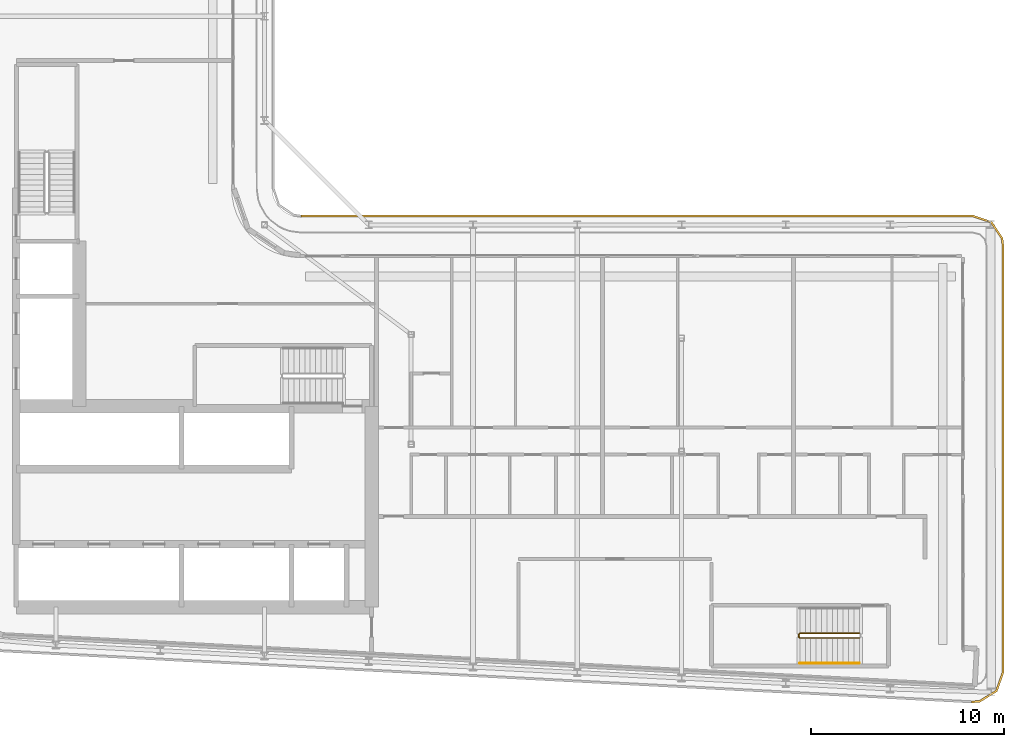
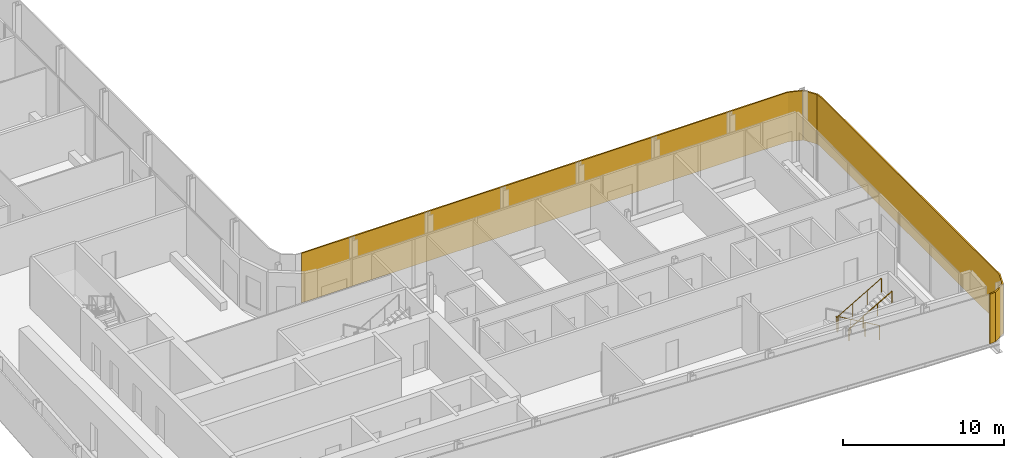
# One storey, part 17 of 21: 2 railings, 1 shading device.
"""IFC4 building model written with IfcOpenShell, lengths in metres."""

from ifc_helpers import new_model, si_unit, direction, frame, origin, origin_2d, place, context, subcontext, project, spatial, polyline, circle, outline, extrude, material, layer, layer_set, type_object, element, save


model = new_model("IFC4")

# Units and contexts
model_context = context("Model", 3, precision=1e-05, world=origin(), true_north=direction((0.0, 1.0)))
body_context = subcontext(model_context, "Body", "Model", "MODEL_VIEW")
ifc_project = project(units=[si_unit("LENGTHUNIT", "METRE"), si_unit("AREAUNIT", "SQUARE_METRE"), si_unit("VOLUMEUNIT", "CUBIC_METRE"), si_unit("PLANEANGLEUNIT", "RADIAN"), si_unit("MASSUNIT", "GRAM", prefix="KILO")], contexts=[model_context])

# Site, building, storey
site_placement = place(None, origin())
site = spatial("IfcSite", under=ifc_project, at=site_placement, CompositionType="ELEMENT")
building_placement = place(site_placement, origin())
building = spatial("IfcBuilding", under=site, at=building_placement, Name="Kheshtan School and Residences Tower", CompositionType="ELEMENT")
storey_placement = place(building_placement, frame((0.0, 0.0, 235.699951171875)))
storey = spatial("IfcBuildingStorey", under=building, at=storey_placement, Name="L55", CompositionType="ELEMENT", Elevation=235.699951171875)

# Shading device
ifc_material_1 = material(Name="Terracotta lattice, extruded ceramic", Category="masonry")
ifc_layer = layer(ifc_material_1, 0.10009765625)
ifc_layer_set = layer_set([ifc_layer], Name="Loggia screen, terracotta lattice")
shading_device_type = type_object("IfcShadingDeviceType", Name="Loggia screen, terracotta lattice", PredefinedType="USERDEFINED", material=ifc_layer_set)
shading_device_placement = place(storey_placement, origin())
element("IfcShadingDevice", 1, at=shading_device_placement, inside=storey, type_object=shading_device_type, Name="Screen L55 2", ObjectType="SCREEN", PredefinedType="USERDEFINED", context=body_context, shape_type="SweptSolid", body=[
    extrude(outline(polyline([(49.5, 46.0), (84.300048828125, 46.0), (85.212890625, 45.68994140625), (85.7490234375, 44.887939453125), (85.800048828125, 44.5), (85.800048828125, 22.43408203125), (85.469970703125, 21.4951171875), (84.6240234375, 20.968994140625), (84.220947265625, 20.93603515625), (84.22900390625, 20.8359375), (84.656005859375, 20.87109375), (85.552978515625, 21.428955078125), (85.89990234375, 22.4169921875), (85.89990234375, 44.507080078125), (85.844970703125, 44.924072265625), (85.277099609375, 45.77392578125), (84.31689453125, 46.10009765625), (49.5, 46.10009765625), (49.5, 46.0)])), origin(), (0.0, 0.0, 1.0), 3.75),
])

# Railings
ifc_material_2 = material(Name="Stainless steel balustrade", Category="steel")
railing_type_1 = type_object("IfcRailingType", Name="Stair guard 1100", PredefinedType="GUARDRAIL", material=ifc_material_2)
railing_1_placement = place(storey_placement, frame((78.409912109375, 24.449951171875, 0.16259765625)))
element("IfcRailing", 2, at=railing_1_placement, inside=storey, type_object=railing_type_1, Name="L55 ST5 stair guard 1", PredefinedType="GUARDRAIL", context=body_context, shape_type="SweptSolid", body=[
    extrude(circle(Radius=0.02392578125, at=origin_2d()), frame((0.0, 0.0, 1.076171875), z_axis=(-0.864903211148, 0.0, 0.501938676878), x_axis=(0.0, -1.0, 0.0)), (0.0, 0.0, 1.0), 3.560791015625),
    extrude(circle(Radius=0.02392578125, at=origin_2d()), frame((-3.079833984375, 0.0, 2.86328125), z_axis=(-0.707106781187, -0.707106781187, 0.0), x_axis=(0.707106781187, -0.707106781187, 0.0)), (0.0, 0.0, 1.0), 0.07080078125),
    extrude(circle(Radius=0.02392578125, at=origin_2d()), frame((-3.1298828125, -0.050048828125, 2.86328125), z_axis=(0.0, -1.0, 0.0), x_axis=(1.0, 0.0, 0.0)), (0.0, 0.0, 1.0), 0.14990234375),
    extrude(circle(Radius=0.02392578125, at=origin_2d()), frame((-3.1298828125, -0.199951171875, 2.86328125), z_axis=(0.282227285176, -0.282227285176, 0.916894497205), x_axis=(0.707106781187, 0.707106781187, 0.0)), (0.0, 0.0, 1.0), 0.17724609375),
    extrude(circle(Radius=0.02392578125, at=origin_2d()), frame((-3.079833984375, -0.25, 3.02587890625), z_axis=(0.864873446163, 0.0, 0.501989962173), x_axis=(0.0, 1.0, 0.0)), (0.0, 0.0, 1.0), 3.56103515625),
    extrude(circle(Radius=0.02099609375, at=origin_2d()), origin(), (0.0, 0.0, 1.0), 1.052001953125),
    extrude(circle(Radius=0.02099609375, at=origin_2d()), frame((-1.026611328125, 0.0, 0.595703125)), (0.0, 0.0, 1.0), 1.052001953125),
    extrude(circle(Radius=0.02099609375, at=origin_2d()), frame((-2.05322265625, 0.0, 1.191650390625)), (0.0, 0.0, 1.0), 1.052001953125),
    extrude(circle(Radius=0.02099609375, at=origin_2d()), frame((-3.079833984375, 0.0, 1.787353515625)), (0.0, 0.0, 1.0), 1.052001953125),
    extrude(circle(Radius=0.02099609375, at=origin_2d()), frame((-3.1298828125, -0.050048828125, 1.787353515625)), (0.0, 0.0, 1.0), 1.052001953125),
    extrude(circle(Radius=0.02099609375, at=origin_2d()), frame((-3.1298828125, -0.199951171875, 1.787353515625)), (0.0, 0.0, 1.0), 1.052001953125),
    extrude(circle(Radius=0.02099609375, at=origin_2d()), frame((-3.079833984375, -0.25, 1.949951171875)), (0.0, 0.0, 1.0), 1.052001953125),
    extrude(circle(Radius=0.02099609375, at=origin_2d()), frame((-2.05322265625, -0.25, 2.5458984375)), (0.0, 0.0, 1.0), 1.052001953125),
    extrude(circle(Radius=0.02099609375, at=origin_2d()), frame((-1.026611328125, -0.25, 3.1416015625)), (0.0, 0.0, 1.0), 1.052001953125),
    extrude(circle(Radius=0.02099609375, at=origin_2d()), frame((0.0, -0.25, 3.737548828125)), (0.0, 0.0, 1.0), 1.052001953125),
])
ifc_material_3 = material(Name="Stainless steel handrail", Category="steel")
railing_type_2 = type_object("IfcRailingType", Name="Stair handrail 900", PredefinedType="HANDRAIL", material=ifc_material_3)
railing_2_placement = place(storey_placement, frame((75.330078125, 22.89990234375, 2.112548828125)))
element("IfcRailing", 3, at=railing_2_placement, inside=storey, type_object=railing_type_2, Name="L55 ST5 stair handrail 2", PredefinedType="HANDRAIL", context=body_context, shape_type="SweptSolid", body=[
    extrude(circle(Radius=0.02392578125, at=origin_2d()), frame((0.0, 0.0, 0.8759765625), z_axis=(0.864873446163, 0.0, 0.501989962173), x_axis=(0.0, 1.0, 0.0)), (0.0, 0.0, 1.0), 3.56103515625),
    extrude(circle(Radius=0.02099609375, at=origin_2d()), origin(), (0.0, 0.0, 1.0), 0.851806640625),
    extrude(circle(Radius=0.02099609375, at=origin_2d()), frame((1.026611328125, 0.0, 0.595947265625)), (0.0, 0.0, 1.0), 0.851806640625),
    extrude(circle(Radius=0.02099609375, at=origin_2d()), frame((2.05322265625, 0.0, 1.191650390625)), (0.0, 0.0, 1.0), 0.851806640625),
    extrude(circle(Radius=0.02099609375, at=origin_2d()), frame((3.079833984375, 0.0, 1.78759765625)), (0.0, 0.0, 1.0), 0.851806640625),
])

save(model, "model.ifc")
